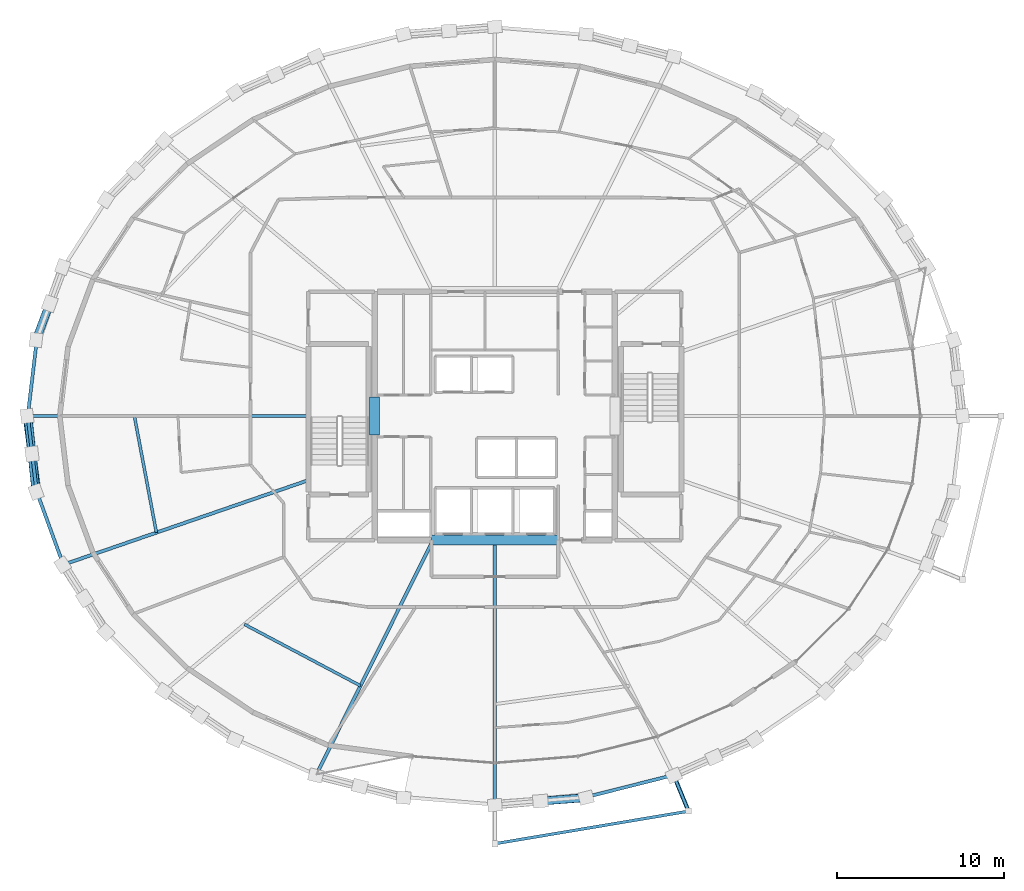
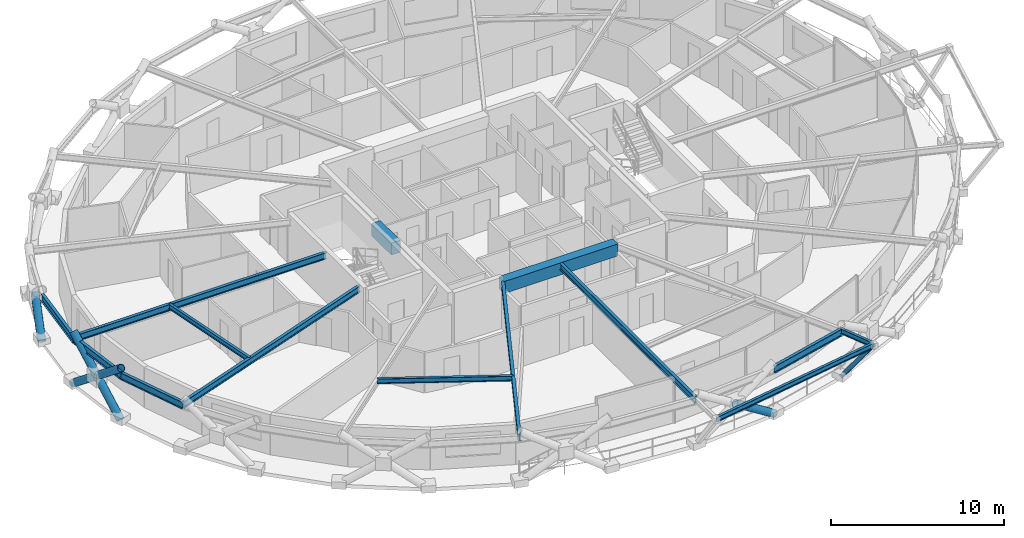
# One storey, part 3 of 20: 14 beams, 6 members.
"""IFC4 building model written with IfcOpenShell, lengths in metres."""

from ifc_helpers import new_model, si_unit, direction, frame, origin, origin_2d, place, context, subcontext, project, spatial, rectangle, hollow_rectangle, hollow_circle, i_section, extrude, material, material_profile, profile_set, type_object, element, save


model = new_model("IFC4")

# Units and contexts
model_context = context("Model", 3, precision=1e-05, world=origin(), true_north=direction((0.0, 1.0)))
body_context = subcontext(model_context, "Body", "Model", "MODEL_VIEW")
ifc_project = project(units=[si_unit("LENGTHUNIT", "METRE"), si_unit("AREAUNIT", "SQUARE_METRE"), si_unit("VOLUMEUNIT", "CUBIC_METRE"), si_unit("PLANEANGLEUNIT", "RADIAN"), si_unit("MASSUNIT", "GRAM", prefix="KILO")], contexts=[model_context])

# Site, building, storey
site_placement = place(None, origin())
site = spatial("IfcSite", under=ifc_project, at=site_placement, CompositionType="ELEMENT")
building_placement = place(site_placement, origin())
building = spatial("IfcBuilding", under=site, at=building_placement, Name="Veldorina Hangang Commons", CompositionType="ELEMENT")
storey_placement = place(building_placement, frame((0.0, 0.0, 171.199951171875)))
storey = spatial("IfcBuildingStorey", under=building, at=storey_placement, Name="L44", CompositionType="ELEMENT", Elevation=171.199951171875)

# Beams
ifc_material_1 = material(Name="Concrete C60/75", Category="concrete")
ifc_material_profile_1 = material_profile(ifc_material_1, rectangle(XDim=0.60009765625, YDim=0.85009765625, at=origin_2d()), Name="RC-CB-600x850")
ifc_profile_set_1 = profile_set([ifc_material_profile_1], Name="Concrete C60/75")
beam_type_1 = type_object("IfcBeamType", Name="BM-CB850", PredefinedType="LINTEL", material=ifc_profile_set_1)
beam_1_placement = place(storey_placement, frame((24.800048828125, 22.85009765625, 2.925048828125), z_axis=(0.0, 1.0, 0.0), x_axis=(-1.0, 0.0, 0.0)))
element("IfcBeam", 1, at=beam_1_placement, inside=storey, type_object=beam_type_1, Name="L44 W core coupling lintel beam", PredefinedType="LINTEL", context=body_context, shape_type="SweptSolid", body=[
    extrude(rectangle(XDim=0.60009765625, YDim=0.85009765625, at=origin_2d()), origin(), (0.0, 0.0, 1.0), 2.2998046875),
])
beam_2_placement = place(storey_placement, frame((28.199951171875, 16.550048828125, 2.925048828125), z_axis=(1.0, 0.0, 0.0), x_axis=(0.0, 1.0, 0.0)))
element("IfcBeam", 2, at=beam_2_placement, inside=storey, type_object=beam_type_1, Name="L44 south core coupling beam", PredefinedType="LINTEL", context=body_context, shape_type="SweptSolid", body=[
    extrude(rectangle(XDim=0.60009765625, YDim=0.85009765625, at=origin_2d()), origin(), (0.0, 0.0, 1.0), 7.60009765625),
])
ifc_material_2 = material(Name="Steel SM355-TMC", Category="steel")
ifc_material_profile_2 = material_profile(ifc_material_2, i_section(OverallWidth=0.175048828125, OverallDepth=0.35009765625, WebThickness=0.007080078125, FlangeThickness=0.010986328125, FilletRadius=0.012939453125, at=origin_2d()), Name="H-350x175x7x11")
ifc_profile_set_2 = profile_set([ifc_material_profile_2], Name="Steel SM355-TMC")
beam_type_2 = type_object("IfcBeamType", Name="BM-FG350", PredefinedType="BEAM", material=ifc_profile_set_2)
beam_3_placement = place(storey_placement, frame((42.715087890625, 2.4736328125, 3.175048828125), z_axis=(0.38271879393, -0.923864884479, 0.0), x_axis=(0.923864884479, 0.38271879393, 0.0)))
element("IfcBeam", 3, at=beam_3_placement, inside=storey, type_object=beam_type_2, Name="L45 tree balcony 1 bracket beam B", PredefinedType="BEAM", context=body_context, shape_type="SweptSolid", body=[
    extrude(i_section(OverallWidth=0.175048828125, OverallDepth=0.35009765625, WebThickness=0.007080078125, FlangeThickness=0.010986328125, FilletRadius=0.012939453125, at=origin_2d()), origin(), (0.0, 0.0, 1.0), 2.35009765625),
])
beam_4_placement = place(storey_placement, frame((32.0, -1.64990234375, 3.175048828125), z_axis=(0.986163820807, 0.16577369674, 0.0), x_axis=(-0.16577369674, 0.986163820807, 0.0)))
element("IfcBeam", 4, at=beam_4_placement, inside=storey, type_object=beam_type_2, Name="L45 tree balcony 1 outer rim beam", PredefinedType="BEAM", context=body_context, shape_type="SweptSolid", body=[
    extrude(i_section(OverallWidth=0.175048828125, OverallDepth=0.35009765625, WebThickness=0.007080078125, FlangeThickness=0.010986328125, FilletRadius=0.012939453125, at=origin_2d()), origin(), (0.0, 0.0, 1.0), 11.77734375),
])
ifc_material_profile_3 = material_profile(ifc_material_2, i_section(OverallWidth=0.199951171875, OverallDepth=0.449951171875, WebThickness=0.009033203125, FlangeThickness=0.013916015625, FilletRadius=0.01611328125, at=origin_2d()), Name="H-450x200x9x14")
ifc_profile_set_3 = profile_set([ifc_material_profile_3], Name="Steel SM355-TMC")
beam_type_3 = type_object("IfcBeamType", Name="BM-FG450", PredefinedType="BEAM", material=ifc_profile_set_3)
beam_5_placement = place(storey_placement, frame((20.820068359375, 24.0, 3.125), z_axis=(-1.0, 0.0, 0.0), x_axis=(0.0, -1.0, 0.0)))
element("IfcBeam", 5, at=beam_5_placement, inside=storey, type_object=beam_type_3, Name="L44 radial floor girder 09", PredefinedType="BEAM", context=body_context, shape_type="SweptSolid", body=[
    extrude(i_section(OverallWidth=0.199951171875, OverallDepth=0.449951171875, WebThickness=0.009033203125, FlangeThickness=0.013916015625, FilletRadius=0.01611328125, at=origin_2d()), origin(), (0.0, 0.0, 1.0), 16.82666015625),
])
beam_6_placement = place(storey_placement, frame((20.820068359375, 20.146484375, 3.125), z_axis=(-0.945422212633, -0.325847878403, 0.0), x_axis=(0.325847878403, -0.945422212633, 0.0)))
element("IfcBeam", 6, at=beam_6_placement, inside=storey, type_object=beam_type_3, Name="L44 radial floor girder 10", PredefinedType="BEAM", context=body_context, shape_type="SweptSolid", body=[
    extrude(i_section(OverallWidth=0.199951171875, OverallDepth=0.449951171875, WebThickness=0.009033203125, FlangeThickness=0.013916015625, FilletRadius=0.01611328125, at=origin_2d()), origin(), (0.0, 0.0, 1.0), 15.543212890625),
])
beam_7_placement = place(storey_placement, frame((28.29150390625, 16.550048828125, 3.125), z_axis=(-0.445617236074, -0.895223591576, 0.0), x_axis=(0.895223591576, -0.445617236074, 0.0)))
element("IfcBeam", 7, at=beam_7_placement, inside=storey, type_object=beam_type_3, Name="L44 radial floor girder 12", PredefinedType="BEAM", context=body_context, shape_type="SweptSolid", body=[
    extrude(i_section(OverallWidth=0.199951171875, OverallDepth=0.449951171875, WebThickness=0.009033203125, FlangeThickness=0.013916015625, FilletRadius=0.01611328125, at=origin_2d()), origin(), (0.0, 0.0, 1.0), 15.728759765625),
])
beam_8_placement = place(storey_placement, frame((32.0, 16.550048828125, 3.125), z_axis=(0.0, -1.0, 0.0), x_axis=(1.0, 0.0, 0.0)))
element("IfcBeam", 8, at=beam_8_placement, inside=storey, type_object=beam_type_3, Name="L44 radial floor girder 13", PredefinedType="BEAM", context=body_context, shape_type="SweptSolid", body=[
    extrude(i_section(OverallWidth=0.199951171875, OverallDepth=0.449951171875, WebThickness=0.009033203125, FlangeThickness=0.013916015625, FilletRadius=0.01611328125, at=origin_2d()), origin(), (0.0, 0.0, 1.0), 15.854736328125),
])
ifc_material_profile_4 = material_profile(ifc_material_2, i_section(OverallWidth=0.175048828125, OverallDepth=0.35009765625, WebThickness=0.007080078125, FlangeThickness=0.010986328125, FilletRadius=0.012939453125, at=origin_2d()), Name="H-350x175x7x11")
ifc_profile_set_4 = profile_set([ifc_material_profile_4], Name="Steel SM355-TMC")
beam_type_4 = type_object("IfcBeamType", Name="BM-JST350", PredefinedType="JOIST", material=ifc_profile_set_4)
beam_9_placement = place(storey_placement, frame((10.387451171875, 24.0, 3.175048828125), z_axis=(0.185709077606, -0.982604772274, 0.0), x_axis=(0.982604772274, 0.185709077606, 0.0)))
element("IfcBeam", 9, at=beam_9_placement, inside=storey, type_object=beam_type_4, Name="L44 secondary floor joist 09", PredefinedType="JOIST", context=body_context, shape_type="SweptSolid", body=[
    extrude(i_section(OverallWidth=0.175048828125, OverallDepth=0.35009765625, WebThickness=0.007080078125, FlangeThickness=0.010986328125, FilletRadius=0.012939453125, at=origin_2d()), origin(), (0.0, 0.0, 1.0), 7.117431640625),
])
beam_10_placement = place(storey_placement, frame((16.985595703125, 11.50634765625, 3.175048828125), z_axis=(0.883710996813, -0.468032984001, 0.0), x_axis=(0.468032984001, 0.883710996813, 0.0)))
element("IfcBeam", 10, at=beam_10_placement, inside=storey, type_object=beam_type_4, Name="L44 secondary floor joist 11", PredefinedType="JOIST", context=body_context, shape_type="SweptSolid", body=[
    extrude(i_section(OverallWidth=0.175048828125, OverallDepth=0.35009765625, WebThickness=0.007080078125, FlangeThickness=0.010986328125, FilletRadius=0.012939453125, at=origin_2d()), origin(), (0.0, 0.0, 1.0), 7.876220703125),
])
ifc_material_3 = material(Name="Steel SM420-TMC", Category="steel")
ifc_material_profile_5 = material_profile(ifc_material_3, i_section(OverallWidth=0.199951171875, OverallDepth=0.5, WebThickness=0.010009765625, FlangeThickness=0.01611328125, FilletRadius=0.01611328125, at=origin_2d()), Name="H-500x200x10x16")
ifc_profile_set_5 = profile_set([ifc_material_profile_5], Name="Steel SM420-TMC")
beam_type_5 = type_object("IfcBeamType", Name="BM-RB500", PredefinedType="BEAM", material=ifc_profile_set_5)
for number, where, z_axis, x_axis, name in (
    (11, (4.531494140625, 28.54638671875, 3.10009765625), (-0.117534297486, -0.993068823856, 0.0), (0.993068823856, -0.117534297486, 0.0), "L44 perimeter hoop ring beam 15"),
    (12, (3.993408203125, 24.0, 3.10009765625), (0.117534297486, -0.993068823856, 0.0), (0.993068823856, 0.117534297486, 0.0), "L44 perimeter hoop ring beam 16"),
):
    element("IfcBeam", number, at=place(storey_placement, frame(where, z_axis=z_axis, x_axis=x_axis)), inside=storey, type_object=beam_type_5, Name=name, PredefinedType="BEAM", context=body_context, shape_type="SweptSolid", body=[
        extrude(i_section(OverallWidth=0.199951171875, OverallDepth=0.5, WebThickness=0.010009765625, FlangeThickness=0.01611328125, FilletRadius=0.01611328125, at=origin_2d()), origin(), (0.0, 0.0, 1.0), 4.578125),
    ])
beam_11_placement = place(storey_placement, frame((4.531494140625, 19.45361328125, 3.10009765625), z_axis=(0.342501226622, -0.939517381299, 0.0), x_axis=(0.939517381299, 0.342501226622, 0.0)))
element("IfcBeam", 13, at=beam_11_placement, inside=storey, type_object=beam_type_5, Name="L44 perimeter hoop ring beam 17", PredefinedType="BEAM", context=body_context, shape_type="SweptSolid", body=[
    extrude(i_section(OverallWidth=0.199951171875, OverallDepth=0.5, WebThickness=0.010009765625, FlangeThickness=0.01611328125, FilletRadius=0.01611328125, at=origin_2d()), origin(), (0.0, 0.0, 1.0), 4.6533203125),
])
beam_12_placement = place(storey_placement, frame((37.4638671875, 1.14306640625, 3.10009765625), z_axis=(0.969586031209, 0.244750746853, 0.0), x_axis=(-0.244750746853, 0.969586031209, 0.0)))
element("IfcBeam", 14, at=beam_12_placement, inside=storey, type_object=beam_type_5, Name="L44 perimeter hoop ring beam 25", PredefinedType="BEAM", context=body_context, shape_type="SweptSolid", body=[
    extrude(i_section(OverallWidth=0.199951171875, OverallDepth=0.5, WebThickness=0.010009765625, FlangeThickness=0.01611328125, FilletRadius=0.01611328125, at=origin_2d()), origin(), (0.0, 0.0, 1.0), 5.41845703125),
])

# Members
ifc_material_profile_6 = material_profile(ifc_material_3, hollow_circle(Radius=0.25, WallThickness=0.02490234375, at=origin_2d()), Name="CHS-500x25")
ifc_profile_set_6 = profile_set([ifc_material_profile_6], Name="Steel SM420-TMC")
member_type_1 = type_object("IfcMemberType", Name="DG-CHS500", PredefinedType="BRACE", material=ifc_profile_set_6)
member_1_placement = place(storey_placement, frame((4.4912109375, 28.552001953125, 0.0), z_axis=(0.27847871581, 0.740925673088, 0.611129079491), x_axis=(-0.936066582213, 0.351822900995, 0.0)))
element("IfcMember", 15, at=member_1_placement, inside=storey, type_object=member_type_1, Name="L44 split perimeter diagrid lower brace 15", PredefinedType="BRACE", context=body_context, shape_type="SweptSolid", body=[
    extrude(hollow_circle(Radius=0.25, WallThickness=0.02490234375, at=origin_2d()), origin(), (0.0, 0.0, 1.0), 2.947509765625),
])
member_2_placement = place(storey_placement, frame((3.9521484375, 24.0, 0.0), z_axis=(0.100536255394, -0.779951891322, 0.617711509181), x_axis=(0.991794432964, 0.127842883029, 0.0)))
element("IfcMember", 16, at=member_2_placement, inside=storey, type_object=member_type_1, Name="L44 continuous perimeter diagrid brace 16", PredefinedType="BRACE", context=body_context, shape_type="SweptSolid", body=[
    extrude(hollow_circle(Radius=0.25, WallThickness=0.02490234375, at=origin_2d()), origin(), (0.0, 0.0, 1.0), 5.828125),
])
member_3_placement = place(storey_placement, frame((4.4912109375, 19.447998046875, 0.0), z_axis=(-0.084363342095, 0.781554735261, 0.618105996008), x_axis=(-0.994224578558, -0.10731955736, 0.0)))
element("IfcMember", 17, at=member_3_placement, inside=storey, type_object=member_type_1, Name="L44 split perimeter diagrid lower brace 17", PredefinedType="BRACE", context=body_context, shape_type="SweptSolid", body=[
    extrude(hollow_circle(Radius=0.25, WallThickness=0.02490234375, at=origin_2d()), origin(), (0.0, 0.0, 1.0), 2.9140625),
])
member_4_placement = place(storey_placement, frame((4.245361328125, 21.7255859375, 1.80126953125), z_axis=(-0.084312405418, 0.781546635692, 0.618123187181), x_axis=(-0.994231371847, -0.107256604627, 0.0)))
element("IfcMember", 18, at=member_4_placement, inside=storey, type_object=member_type_1, Name="L44 split perimeter diagrid upper brace 17", PredefinedType="BRACE", context=body_context, shape_type="SweptSolid", body=[
    extrude(hollow_circle(Radius=0.25, WallThickness=0.02490234375, at=origin_2d()), origin(), (0.0, 0.0, 1.0), 2.91015625),
])
member_5_placement = place(storey_placement, frame((37.471923828125, 1.11474609375, 0.0), z_axis=(-0.833745976491, -0.063185099859, 0.548521002187), x_axis=(0.075567899395, -0.997140658373, 0.0)))
element("IfcMember", 19, at=member_5_placement, inside=storey, type_object=member_type_1, Name="L44 split perimeter diagrid lower brace 25", PredefinedType="BRACE", context=body_context, shape_type="SweptSolid", body=[
    extrude(hollow_circle(Radius=0.25, WallThickness=0.02490234375, at=origin_2d()), origin(), (0.0, 0.0, 1.0), 3.284423828125),
])
ifc_material_profile_7 = material_profile(ifc_material_2, hollow_rectangle(XDim=0.25, YDim=0.25, WallThickness=0.011962890625, at=origin_2d()), Name="SHS-250x250x12")
ifc_profile_set_7 = profile_set([ifc_material_profile_7], Name="Steel SM355-TMC")
member_type_2 = type_object("IfcMemberType", Name="STR-SHS250", PredefinedType="STRUT", material=ifc_profile_set_7)
member_6_placement = place(storey_placement, frame((42.7333984375, 2.442626953125, 0.0), z_axis=(0.224253360723, -0.544695195371, 0.808095028041), x_axis=(0.924697758993, 0.38070205478, 0.0)))
element("IfcMember", 20, at=member_6_placement, inside=storey, type_object=member_type_2, Name="L45 tree balcony 1 raking knee strut B", PredefinedType="STRUT", context=body_context, shape_type="SweptSolid", body=[
    extrude(hollow_rectangle(XDim=0.25, YDim=0.25, WallThickness=0.011962890625, at=origin_2d()), origin(), (0.0, 0.0, 1.0), 3.928955078125),
])

save(model, "model.ifc")
